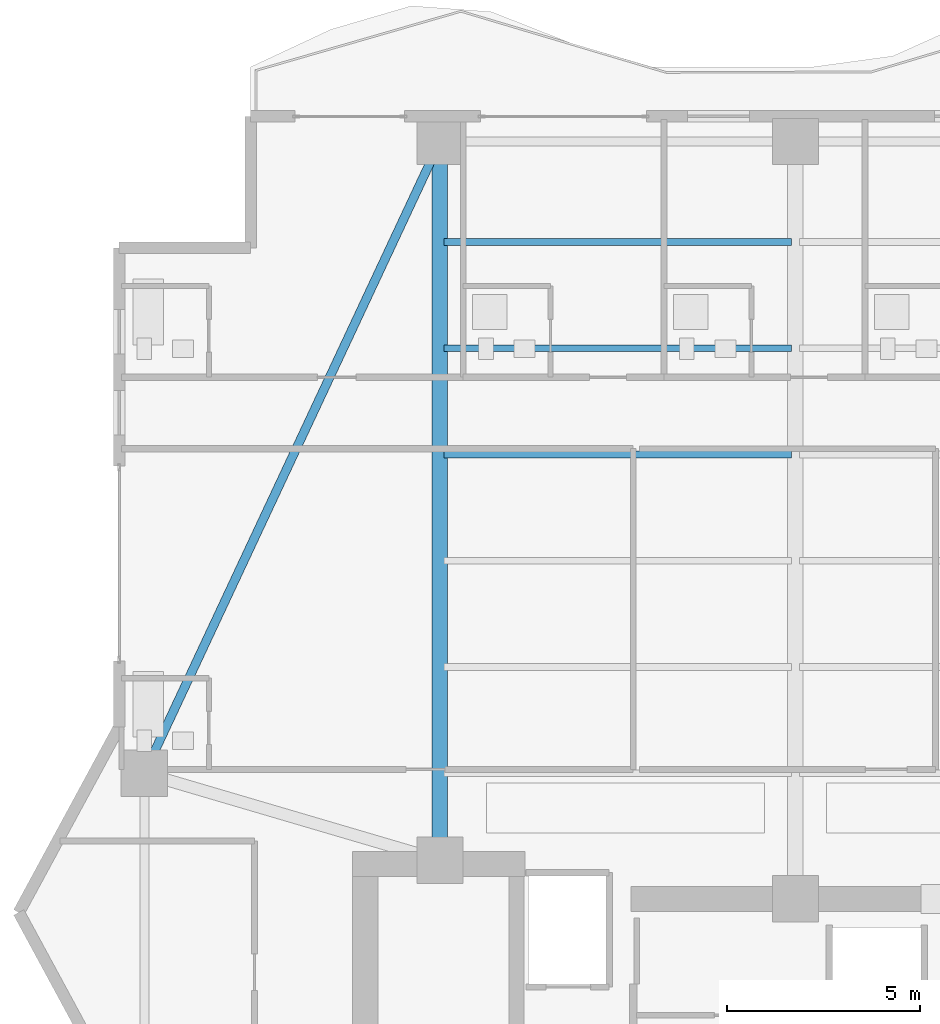
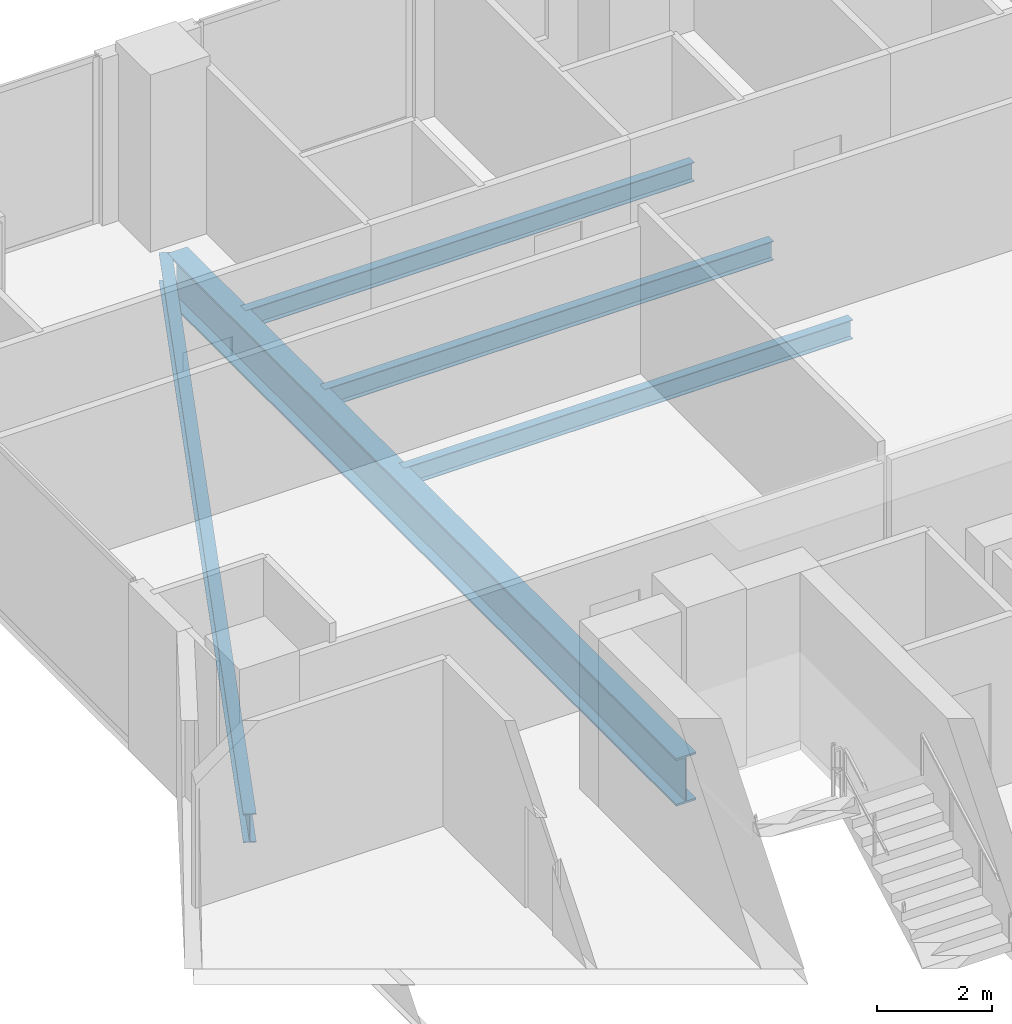
# One storey, part 18 of 32: 5 beams.
"""IFC4 building model written with IfcOpenShell, lengths in metres."""

from ifc_helpers import new_model, si_unit, direction, frame, origin, origin_2d, place, context, subcontext, project, spatial, i_section, extrude, material, material_profile, profile_set, type_object, element, save


model = new_model("IFC4")

# Units and contexts
model_context = context("Model", 3, precision=1e-05, world=origin(), true_north=direction((0.0, 1.0)))
body_context = subcontext(model_context, "Body", "Model", "MODEL_VIEW")
ifc_project = project(units=[si_unit("LENGTHUNIT", "METRE"), si_unit("AREAUNIT", "SQUARE_METRE"), si_unit("VOLUMEUNIT", "CUBIC_METRE"), si_unit("PLANEANGLEUNIT", "RADIAN"), si_unit("MASSUNIT", "GRAM", prefix="KILO")], contexts=[model_context])

# Site, building, storey
site_placement = place(None, origin())
site = spatial("IfcSite", under=ifc_project, at=site_placement, CompositionType="ELEMENT")
building_placement = place(site_placement, origin())
building = spatial("IfcBuilding", under=site, at=building_placement, Name="Zuhayl Quay Hotel", CompositionType="ELEMENT")
storey_placement = place(building_placement, frame((0.0, 0.0, 203.64990234375)))
storey = spatial("IfcBuildingStorey", under=building, at=storey_placement, Name="L51", CompositionType="ELEMENT", Elevation=203.64990234375)

# Beams
ifc_material = material(Name="Steel ASTM A992 Grade 50", Category="steel")
ifc_material_profile_1 = material_profile(ifc_material, i_section(OverallWidth=0.22802734375, OverallDepth=0.60693359375, WebThickness=0.01123046875, FlangeThickness=0.017333984375, at=origin_2d()), Name="W24X76")
ifc_profile_set_1 = profile_set([ifc_material_profile_1], Name="Steel ASTM A992 Grade 50")
beam_type_1 = type_object("IfcBeamType", Name="BM_B3_W24X76", PredefinedType="BEAM", material=ifc_profile_set_1)
beam_1_placement = place(storey_placement, frame((-14.011962890625, 32.4970703125, -0.5234375), z_axis=(-0.423792164429, -0.905759461098, 0.0), x_axis=(0.905759461098, -0.423792164429, 0.0)))
element("IfcBeam", 1, at=beam_1_placement, inside=storey, type_object=beam_type_1, Name="L51 Floor Beam RG_L51_10", PredefinedType="BEAM", context=body_context, shape_type="SweptSolid", body=[
    extrude(i_section(OverallWidth=0.22802734375, OverallDepth=0.60693359375, WebThickness=0.01123046875, FlangeThickness=0.017333984375, at=origin_2d()), origin(), (0.0, 0.0, 1.0), 17.051025390625),
])
ifc_material_profile_2 = material_profile(ifc_material, i_section(OverallWidth=0.177978515625, OverallDepth=0.406005859375, WebThickness=0.0078125, FlangeThickness=0.0126953125, at=origin_2d()), Name="W16X40")
ifc_profile_set_2 = profile_set([ifc_material_profile_2], Name="Steel ASTM A992 Grade 50")
beam_type_2 = type_object("IfcBeamType", Name="BM_J2B_W16X40", PredefinedType="JOIST", material=ifc_profile_set_2)
for number, where, z_axis, x_axis, name in (
    (2, (-13.694091796875, 24.85009765625, -0.4228515625), (1.0, 0.0, 0.0), (0.0, 1.0, 0.0), "L51 Floor Beam FJ_L51_4_1"),
    (3, (-13.694091796875, 27.60009765625, -0.4228515625), (1.0, 0.0, 0.0), (0.0, 1.0, 0.0), "L51 Floor Beam FJ_L51_5_1"),
    (4, (-13.694091796875, 30.35009765625, -0.4228515625), (1.0, 0.0, 0.0), (0.0, 1.0, 0.0), "L51 Floor Beam FJ_L51_6_1"),
):
    element("IfcBeam", number, at=place(storey_placement, frame(where, z_axis=z_axis, x_axis=x_axis)), inside=storey, type_object=beam_type_2, Name=name, PredefinedType="JOIST", context=body_context, shape_type="SweptSolid", body=[
        extrude(i_section(OverallWidth=0.177978515625, OverallDepth=0.406005859375, WebThickness=0.0078125, FlangeThickness=0.0126953125, at=origin_2d()), origin(), (0.0, 0.0, 1.0), 8.988037109375),
    ])
ifc_material_profile_3 = material_profile(ifc_material, i_section(OverallWidth=0.40087890625, OverallDepth=1.010986328125, WebThickness=0.023681640625, FlangeThickness=0.0419921875, at=origin_2d()), Name="W40X297")
ifc_profile_set_3 = profile_set([ifc_material_profile_3], Name="Steel ASTM A992 Grade 50")
beam_type_3 = type_object("IfcBeamType", Name="BM_TG2_W40X297", PredefinedType="BEAM", material=ifc_profile_set_3)
beam_2_placement = place(storey_placement, frame((-13.800048828125, 14.800048828125, -0.725341796875), z_axis=(0.0, 1.0, 0.0), x_axis=(-1.0, 0.0, 0.0)))
element("IfcBeam", 5, at=beam_2_placement, inside=storey, type_object=beam_type_3, Name="L51 Floor Beam FG_N_L51_1", PredefinedType="BEAM", context=body_context, shape_type="SweptSolid", body=[
    extrude(i_section(OverallWidth=0.40087890625, OverallDepth=1.010986328125, WebThickness=0.023681640625, FlangeThickness=0.0419921875, at=origin_2d()), origin(), (0.0, 0.0, 1.0), 17.64990234375),
])

save(model, "model.ifc")
